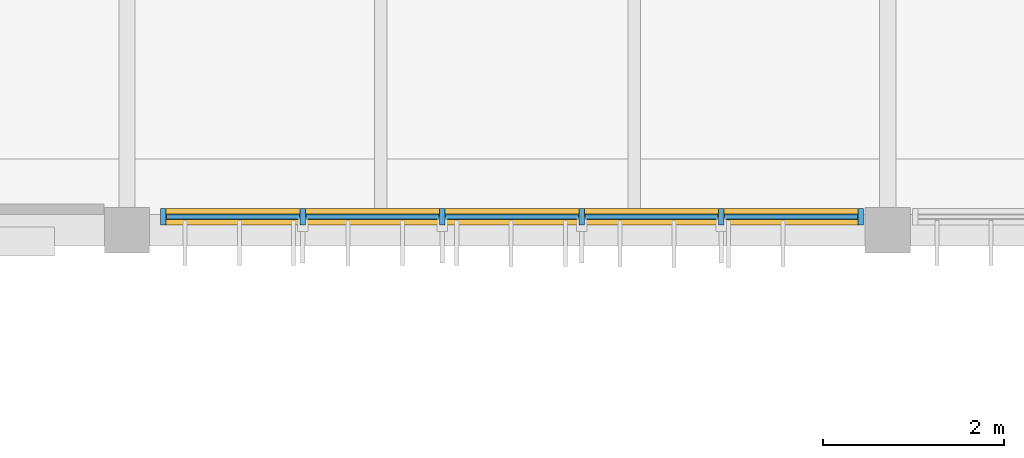
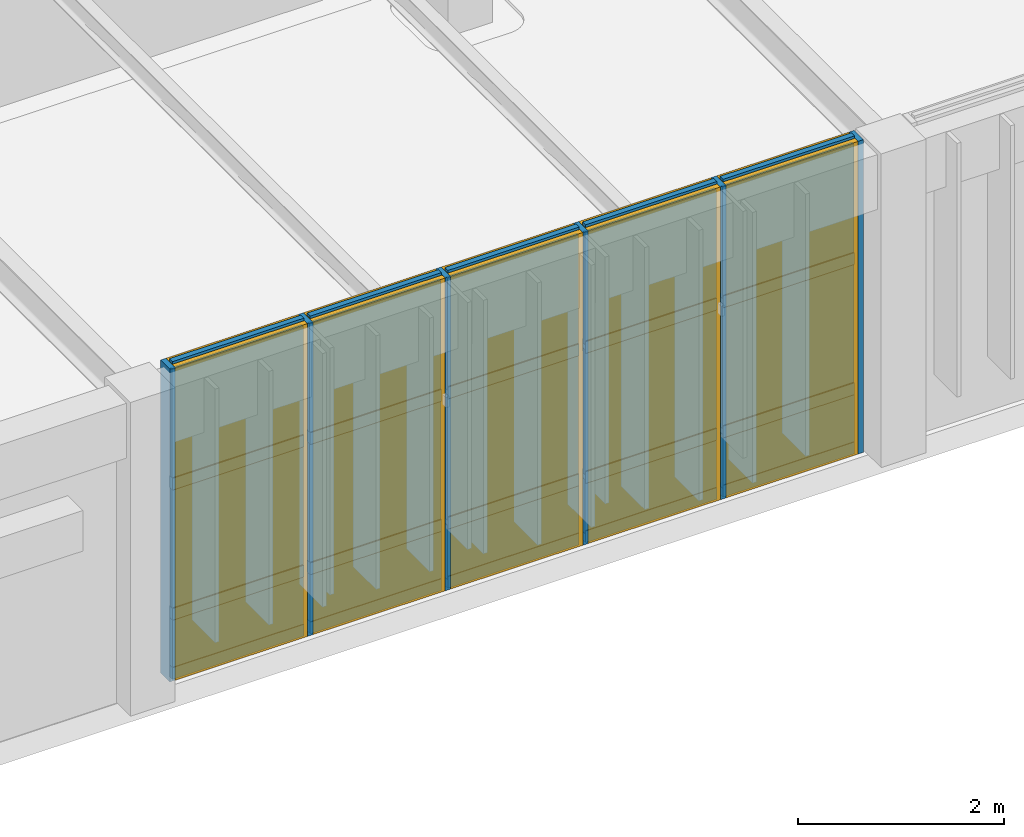
# One storey, part 33 of 44: 26 members, 15 plates, 1 curtain wall.
"""IFC4 building model written with IfcOpenShell, lengths in metres."""

from ifc_helpers import new_model, si_unit, direction, frame, frame_2d, origin, origin_2d, place, context, subcontext, project, spatial, rectangle, extrude, material, layer, layer_set, material_profile, profile_set, type_object, element, aggregate, save


model = new_model("IFC4")

# Units and contexts
model_context = context("Model", 3, precision=1e-05, world=origin(), true_north=direction((0.0, 1.0)))
body_context = subcontext(model_context, "Body", "Model", "MODEL_VIEW")
ifc_project = project(units=[si_unit("LENGTHUNIT", "METRE"), si_unit("AREAUNIT", "SQUARE_METRE"), si_unit("VOLUMEUNIT", "CUBIC_METRE"), si_unit("PLANEANGLEUNIT", "RADIAN"), si_unit("MASSUNIT", "GRAM", prefix="KILO")], contexts=[model_context])

# Member
ifc_material_1 = material(Name="Anodised Bronze Aluminium 6063-T6", Category="aluminium")
ifc_material_profile_1 = material_profile(ifc_material_1, rectangle(XDim=0.06005859375, YDim=0.179931640625, at=origin_2d()), Name="ALU MULLION 60x180")
ifc_profile_set_1 = profile_set([ifc_material_profile_1], Name="Anodised Bronze Aluminium 6063-T6")
member_type_1 = type_object("IfcMemberType", Name="Curtain-Wall Primary Mullion 60x180", PredefinedType="MULLION", material=ifc_profile_set_1)
site_placement = place(None, origin())
building_placement = place(site_placement, origin())
storey_placement = place(building_placement, frame((0.0, 0.0, 13.199951171875)))
member_1_placement = place(storey_placement, frame((125.800048828125, 87.949951171875, 0.0), z_axis=(0.0, 0.0, 1.0), x_axis=(1.0, 0.0, 0.0)))
member_1 = element("IfcMember", 1, at=member_1_placement, type_object=member_type_1, Name="Mullion CWM-01 CW-V3-S2-L03-B1-M01", PredefinedType="MULLION", context=body_context, shape_type="SweptSolid", body=[
    extrude(rectangle(XDim=0.06005859375, YDim=0.179931640625, at=origin_2d()), origin(), (0.0, 0.0, 1.0), 3.699951171875),
])

member_2_placement = place(storey_placement, frame((127.340087890625, 87.949951171875, 0.0), z_axis=(0.0, 0.0, 1.0), x_axis=(1.0, 0.0, 0.0)))
member_2 = element("IfcMember", 2, at=member_2_placement, type_object=member_type_1, Name="Mullion CWM-01 CW-V3-S2-L03-B1-M02", PredefinedType="MULLION", context=body_context, shape_type="SweptSolid", body=[
    extrude(rectangle(XDim=0.06005859375, YDim=0.179931640625, at=origin_2d()), origin(), (0.0, 0.0, 1.0), 3.699951171875),
])

member_3_placement = place(storey_placement, frame((128.8798828125, 87.949951171875, 0.0), z_axis=(0.0, 0.0, 1.0), x_axis=(1.0, 0.0, 0.0)))
member_3 = element("IfcMember", 3, at=member_3_placement, type_object=member_type_1, Name="Mullion CWM-01 CW-V3-S2-L03-B1-M03", PredefinedType="MULLION", context=body_context, shape_type="SweptSolid", body=[
    extrude(rectangle(XDim=0.06005859375, YDim=0.179931640625, at=origin_2d()), origin(), (0.0, 0.0, 1.0), 3.699951171875),
])

member_4_placement = place(storey_placement, frame((130.419921875, 87.949951171875, 0.0), z_axis=(0.0, 0.0, 1.0), x_axis=(1.0, 0.0, 0.0)))
member_4 = element("IfcMember", 4, at=member_4_placement, type_object=member_type_1, Name="Mullion CWM-01 CW-V3-S2-L03-B1-M04", PredefinedType="MULLION", context=body_context, shape_type="SweptSolid", body=[
    extrude(rectangle(XDim=0.06005859375, YDim=0.179931640625, at=origin_2d()), origin(), (0.0, 0.0, 1.0), 3.699951171875),
])

member_5_placement = place(storey_placement, frame((131.9599609375, 87.949951171875, 0.0), z_axis=(0.0, 0.0, 1.0), x_axis=(1.0, 0.0, 0.0)))
member_5 = element("IfcMember", 5, at=member_5_placement, type_object=member_type_1, Name="Mullion CWM-01 CW-V3-S2-L03-B1-M05", PredefinedType="MULLION", context=body_context, shape_type="SweptSolid", body=[
    extrude(rectangle(XDim=0.06005859375, YDim=0.179931640625, at=origin_2d()), origin(), (0.0, 0.0, 1.0), 3.699951171875),
])

member_6_placement = place(storey_placement, frame((133.5, 87.949951171875, 0.0), z_axis=(0.0, 0.0, 1.0), x_axis=(1.0, 0.0, 0.0)))
member_6 = element("IfcMember", 6, at=member_6_placement, type_object=member_type_1, Name="Mullion CWM-01 CW-V3-S2-L03-B1-M06", PredefinedType="MULLION", context=body_context, shape_type="SweptSolid", body=[
    extrude(rectangle(XDim=0.06005859375, YDim=0.179931640625, at=origin_2d()), origin(), (0.0, 0.0, 1.0), 3.699951171875),
])

ifc_material_profile_2 = material_profile(ifc_material_1, rectangle(XDim=0.06005859375, YDim=0.139892578125, at=origin_2d()), Name="ALU TRANSOM 60x140")
ifc_profile_set_2 = profile_set([ifc_material_profile_2], Name="Anodised Bronze Aluminium 6063-T6")
member_type_2 = type_object("IfcMemberType", Name="Curtain-Wall Transom 60x140", PredefinedType="USERDEFINED", material=ifc_profile_set_2)
member_7_placement = place(storey_placement, frame((125.8349609375, 87.949951171875, 0.0400390625), z_axis=(1.0, 0.0, 0.0), x_axis=(0.0, 1.0, 0.0)))
member_7 = element("IfcMember", 7, at=member_7_placement, type_object=member_type_2, Name="Transom CWT-01 CW-V3-S2-L03-B1-T01.1", ObjectType="TRANSOM", PredefinedType="USERDEFINED", context=body_context, shape_type="SweptSolid", body=[
    extrude(rectangle(XDim=0.06005859375, YDim=0.139892578125, at=origin_2d()), origin(), (0.0, 0.0, 1.0), 1.469970703125),
])

member_8_placement = place(storey_placement, frame((125.8349609375, 87.949951171875, 0.739990234375), z_axis=(1.0, 0.0, 0.0), x_axis=(0.0, 1.0, 0.0)))
member_8 = element("IfcMember", 8, at=member_8_placement, type_object=member_type_2, Name="Transom CWT-01 CW-V3-S2-L03-B1-T01.2", ObjectType="TRANSOM", PredefinedType="USERDEFINED", context=body_context, shape_type="SweptSolid", body=[
    extrude(rectangle(XDim=0.06005859375, YDim=0.139892578125, at=origin_2d()), origin(), (0.0, 0.0, 1.0), 1.469970703125),
])

member_9_placement = place(storey_placement, frame((125.8349609375, 87.949951171875, 2.279296875), z_axis=(1.0, 0.0, 0.0), x_axis=(0.0, 1.0, 0.0)))
member_9 = element("IfcMember", 9, at=member_9_placement, type_object=member_type_2, Name="Transom CWT-01 CW-V3-S2-L03-B1-T01.3", ObjectType="TRANSOM", PredefinedType="USERDEFINED", context=body_context, shape_type="SweptSolid", body=[
    extrude(rectangle(XDim=0.06005859375, YDim=0.139892578125, at=origin_2d()), origin(), (0.0, 0.0, 1.0), 1.469970703125),
])

member_10_placement = place(storey_placement, frame((125.8349609375, 87.949951171875, 3.66015625), z_axis=(1.0, 0.0, 0.0), x_axis=(0.0, 1.0, 0.0)))
member_10 = element("IfcMember", 10, at=member_10_placement, type_object=member_type_2, Name="Transom CWT-01 CW-V3-S2-L03-B1-T01.4", ObjectType="TRANSOM", PredefinedType="USERDEFINED", context=body_context, shape_type="SweptSolid", body=[
    extrude(rectangle(XDim=0.06005859375, YDim=0.139892578125, at=origin_2d()), origin(), (0.0, 0.0, 1.0), 1.469970703125),
])

member_11_placement = place(storey_placement, frame((127.375, 87.949951171875, 0.0400390625), z_axis=(1.0, 0.0, 0.0), x_axis=(0.0, 1.0, 0.0)))
member_11 = element("IfcMember", 11, at=member_11_placement, type_object=member_type_2, Name="Transom CWT-01 CW-V3-S2-L03-B1-T02.1", ObjectType="TRANSOM", PredefinedType="USERDEFINED", context=body_context, shape_type="SweptSolid", body=[
    extrude(rectangle(XDim=0.06005859375, YDim=0.139892578125, at=origin_2d()), origin(), (0.0, 0.0, 1.0), 1.469970703125),
])

member_12_placement = place(storey_placement, frame((127.375, 87.949951171875, 0.739990234375), z_axis=(1.0, 0.0, 0.0), x_axis=(0.0, 1.0, 0.0)))
member_12 = element("IfcMember", 12, at=member_12_placement, type_object=member_type_2, Name="Transom CWT-01 CW-V3-S2-L03-B1-T02.2", ObjectType="TRANSOM", PredefinedType="USERDEFINED", context=body_context, shape_type="SweptSolid", body=[
    extrude(rectangle(XDim=0.06005859375, YDim=0.139892578125, at=origin_2d()), origin(), (0.0, 0.0, 1.0), 1.469970703125),
])

member_13_placement = place(storey_placement, frame((127.375, 87.949951171875, 2.279296875), z_axis=(1.0, 0.0, 0.0), x_axis=(0.0, 1.0, 0.0)))
member_13 = element("IfcMember", 13, at=member_13_placement, type_object=member_type_2, Name="Transom CWT-01 CW-V3-S2-L03-B1-T02.3", ObjectType="TRANSOM", PredefinedType="USERDEFINED", context=body_context, shape_type="SweptSolid", body=[
    extrude(rectangle(XDim=0.06005859375, YDim=0.139892578125, at=origin_2d()), origin(), (0.0, 0.0, 1.0), 1.469970703125),
])

member_14_placement = place(storey_placement, frame((127.375, 87.949951171875, 3.66015625), z_axis=(1.0, 0.0, 0.0), x_axis=(0.0, 1.0, 0.0)))
member_14 = element("IfcMember", 14, at=member_14_placement, type_object=member_type_2, Name="Transom CWT-01 CW-V3-S2-L03-B1-T02.4", ObjectType="TRANSOM", PredefinedType="USERDEFINED", context=body_context, shape_type="SweptSolid", body=[
    extrude(rectangle(XDim=0.06005859375, YDim=0.139892578125, at=origin_2d()), origin(), (0.0, 0.0, 1.0), 1.469970703125),
])

member_15_placement = place(storey_placement, frame((128.9150390625, 87.949951171875, 0.0400390625), z_axis=(1.0, 0.0, 0.0), x_axis=(0.0, 1.0, 0.0)))
member_15 = element("IfcMember", 15, at=member_15_placement, type_object=member_type_2, Name="Transom CWT-01 CW-V3-S2-L03-B1-T03.1", ObjectType="TRANSOM", PredefinedType="USERDEFINED", context=body_context, shape_type="SweptSolid", body=[
    extrude(rectangle(XDim=0.06005859375, YDim=0.139892578125, at=origin_2d()), origin(), (0.0, 0.0, 1.0), 1.469970703125),
])

member_16_placement = place(storey_placement, frame((128.9150390625, 87.949951171875, 0.739990234375), z_axis=(1.0, 0.0, 0.0), x_axis=(0.0, 1.0, 0.0)))
member_16 = element("IfcMember", 16, at=member_16_placement, type_object=member_type_2, Name="Transom CWT-01 CW-V3-S2-L03-B1-T03.2", ObjectType="TRANSOM", PredefinedType="USERDEFINED", context=body_context, shape_type="SweptSolid", body=[
    extrude(rectangle(XDim=0.06005859375, YDim=0.139892578125, at=origin_2d()), origin(), (0.0, 0.0, 1.0), 1.469970703125),
])

member_17_placement = place(storey_placement, frame((128.9150390625, 87.949951171875, 2.279296875), z_axis=(1.0, 0.0, 0.0), x_axis=(0.0, 1.0, 0.0)))
member_17 = element("IfcMember", 17, at=member_17_placement, type_object=member_type_2, Name="Transom CWT-01 CW-V3-S2-L03-B1-T03.3", ObjectType="TRANSOM", PredefinedType="USERDEFINED", context=body_context, shape_type="SweptSolid", body=[
    extrude(rectangle(XDim=0.06005859375, YDim=0.139892578125, at=origin_2d()), origin(), (0.0, 0.0, 1.0), 1.469970703125),
])

member_18_placement = place(storey_placement, frame((128.9150390625, 87.949951171875, 3.66015625), z_axis=(1.0, 0.0, 0.0), x_axis=(0.0, 1.0, 0.0)))
member_18 = element("IfcMember", 18, at=member_18_placement, type_object=member_type_2, Name="Transom CWT-01 CW-V3-S2-L03-B1-T03.4", ObjectType="TRANSOM", PredefinedType="USERDEFINED", context=body_context, shape_type="SweptSolid", body=[
    extrude(rectangle(XDim=0.06005859375, YDim=0.139892578125, at=origin_2d()), origin(), (0.0, 0.0, 1.0), 1.469970703125),
])

member_19_placement = place(storey_placement, frame((130.455078125, 87.949951171875, 0.0400390625), z_axis=(1.0, 0.0, 0.0), x_axis=(0.0, 1.0, 0.0)))
member_19 = element("IfcMember", 19, at=member_19_placement, type_object=member_type_2, Name="Transom CWT-01 CW-V3-S2-L03-B1-T04.1", ObjectType="TRANSOM", PredefinedType="USERDEFINED", context=body_context, shape_type="SweptSolid", body=[
    extrude(rectangle(XDim=0.06005859375, YDim=0.139892578125, at=origin_2d()), origin(), (0.0, 0.0, 1.0), 1.469970703125),
])

member_20_placement = place(storey_placement, frame((130.455078125, 87.949951171875, 0.739990234375), z_axis=(1.0, 0.0, 0.0), x_axis=(0.0, 1.0, 0.0)))
member_20 = element("IfcMember", 20, at=member_20_placement, type_object=member_type_2, Name="Transom CWT-01 CW-V3-S2-L03-B1-T04.2", ObjectType="TRANSOM", PredefinedType="USERDEFINED", context=body_context, shape_type="SweptSolid", body=[
    extrude(rectangle(XDim=0.06005859375, YDim=0.139892578125, at=origin_2d()), origin(), (0.0, 0.0, 1.0), 1.469970703125),
])

member_21_placement = place(storey_placement, frame((130.455078125, 87.949951171875, 2.279296875), z_axis=(1.0, 0.0, 0.0), x_axis=(0.0, 1.0, 0.0)))
member_21 = element("IfcMember", 21, at=member_21_placement, type_object=member_type_2, Name="Transom CWT-01 CW-V3-S2-L03-B1-T04.3", ObjectType="TRANSOM", PredefinedType="USERDEFINED", context=body_context, shape_type="SweptSolid", body=[
    extrude(rectangle(XDim=0.06005859375, YDim=0.139892578125, at=origin_2d()), origin(), (0.0, 0.0, 1.0), 1.469970703125),
])

member_22_placement = place(storey_placement, frame((130.455078125, 87.949951171875, 3.66015625), z_axis=(1.0, 0.0, 0.0), x_axis=(0.0, 1.0, 0.0)))
member_22 = element("IfcMember", 22, at=member_22_placement, type_object=member_type_2, Name="Transom CWT-01 CW-V3-S2-L03-B1-T04.4", ObjectType="TRANSOM", PredefinedType="USERDEFINED", context=body_context, shape_type="SweptSolid", body=[
    extrude(rectangle(XDim=0.06005859375, YDim=0.139892578125, at=origin_2d()), origin(), (0.0, 0.0, 1.0), 1.469970703125),
])

member_23_placement = place(storey_placement, frame((131.9951171875, 87.949951171875, 0.0400390625), z_axis=(1.0, 0.0, 0.0), x_axis=(0.0, 1.0, 0.0)))
member_23 = element("IfcMember", 23, at=member_23_placement, type_object=member_type_2, Name="Transom CWT-01 CW-V3-S2-L03-B1-T05.1", ObjectType="TRANSOM", PredefinedType="USERDEFINED", context=body_context, shape_type="SweptSolid", body=[
    extrude(rectangle(XDim=0.06005859375, YDim=0.139892578125, at=origin_2d()), origin(), (0.0, 0.0, 1.0), 1.469970703125),
])

member_24_placement = place(storey_placement, frame((131.9951171875, 87.949951171875, 0.739990234375), z_axis=(1.0, 0.0, 0.0), x_axis=(0.0, 1.0, 0.0)))
member_24 = element("IfcMember", 24, at=member_24_placement, type_object=member_type_2, Name="Transom CWT-01 CW-V3-S2-L03-B1-T05.2", ObjectType="TRANSOM", PredefinedType="USERDEFINED", context=body_context, shape_type="SweptSolid", body=[
    extrude(rectangle(XDim=0.06005859375, YDim=0.139892578125, at=origin_2d()), origin(), (0.0, 0.0, 1.0), 1.469970703125),
])

member_25_placement = place(storey_placement, frame((131.9951171875, 87.949951171875, 2.279296875), z_axis=(1.0, 0.0, 0.0), x_axis=(0.0, 1.0, 0.0)))
member_25 = element("IfcMember", 25, at=member_25_placement, type_object=member_type_2, Name="Transom CWT-01 CW-V3-S2-L03-B1-T05.3", ObjectType="TRANSOM", PredefinedType="USERDEFINED", context=body_context, shape_type="SweptSolid", body=[
    extrude(rectangle(XDim=0.06005859375, YDim=0.139892578125, at=origin_2d()), origin(), (0.0, 0.0, 1.0), 1.469970703125),
])

member_26_placement = place(storey_placement, frame((131.9951171875, 87.949951171875, 3.66015625), z_axis=(1.0, 0.0, 0.0), x_axis=(0.0, 1.0, 0.0)))
member_26 = element("IfcMember", 26, at=member_26_placement, type_object=member_type_2, Name="Transom CWT-01 CW-V3-S2-L03-B1-T05.4", ObjectType="TRANSOM", PredefinedType="USERDEFINED", context=body_context, shape_type="SweptSolid", body=[
    extrude(rectangle(XDim=0.06005859375, YDim=0.139892578125, at=origin_2d()), origin(), (0.0, 0.0, 1.0), 1.469970703125),
])

# Plate
ifc_material_2 = material(Name="Insulated Bronze Aluminium Spandrel Panel", Category="aluminium")
ifc_layer_1 = layer(ifc_material_2, 0.050048828125, Name="Insulated Bronze Aluminium Spandrel Panel")
ifc_layer_set_1 = layer_set([ifc_layer_1], Name="Insulated Bronze Aluminium Spandrel Panel")
plate_type_1 = type_object("IfcPlateType", Name="Insulated Anodised Aluminium Spandrel Cassette 50", PredefinedType="CURTAIN_PANEL", material=ifc_layer_set_1)
plate_1_placement = place(storey_placement, frame((126.570068359375, 87.949951171875, 0.0703125), z_axis=(0.0, 0.0, 1.0), x_axis=(1.0, 0.0, 0.0)))
plate_1 = element("IfcPlate", 27, at=plate_1_placement, type_object=plate_type_1, Name="Curtain Panel CWP-03 CW-V3-S2-L03-B1-P01.1", PredefinedType="CURTAIN_PANEL", context=body_context, shape_type="SweptSolid", body=[
    extrude(rectangle(XDim=1.469970703125, YDim=0.050048828125, at=origin_2d()), origin(), (0.0, 0.0, 1.0), 0.639892578125),
])

plate_2_placement = place(storey_placement, frame((128.110107421875, 87.949951171875, 0.0703125), z_axis=(0.0, 0.0, 1.0), x_axis=(1.0, 0.0, 0.0)))
plate_2 = element("IfcPlate", 28, at=plate_2_placement, type_object=plate_type_1, Name="Curtain Panel CWP-03 CW-V3-S2-L03-B1-P02.1", PredefinedType="CURTAIN_PANEL", context=body_context, shape_type="SweptSolid", body=[
    extrude(rectangle(XDim=1.469970703125, YDim=0.050048828125, at=origin_2d()), origin(), (0.0, 0.0, 1.0), 0.639892578125),
])

plate_3_placement = place(storey_placement, frame((129.64990234375, 87.949951171875, 0.0703125), z_axis=(0.0, 0.0, 1.0), x_axis=(1.0, 0.0, 0.0)))
plate_3 = element("IfcPlate", 29, at=plate_3_placement, type_object=plate_type_1, Name="Curtain Panel CWP-03 CW-V3-S2-L03-B1-P03.1", PredefinedType="CURTAIN_PANEL", context=body_context, shape_type="SweptSolid", body=[
    extrude(rectangle(XDim=1.469970703125, YDim=0.050048828125, at=origin_2d()), origin(), (0.0, 0.0, 1.0), 0.639892578125),
])

plate_4_placement = place(storey_placement, frame((131.18994140625, 87.949951171875, 0.0703125), z_axis=(0.0, 0.0, 1.0), x_axis=(1.0, 0.0, 0.0)))
plate_4 = element("IfcPlate", 30, at=plate_4_placement, type_object=plate_type_1, Name="Curtain Panel CWP-03 CW-V3-S2-L03-B1-P04.1", PredefinedType="CURTAIN_PANEL", context=body_context, shape_type="SweptSolid", body=[
    extrude(rectangle(XDim=1.469970703125, YDim=0.050048828125, at=origin_2d()), origin(), (0.0, 0.0, 1.0), 0.639892578125),
])

plate_5_placement = place(storey_placement, frame((132.72998046875, 87.949951171875, 0.0703125), z_axis=(0.0, 0.0, 1.0), x_axis=(1.0, 0.0, 0.0)))
plate_5 = element("IfcPlate", 31, at=plate_5_placement, type_object=plate_type_1, Name="Curtain Panel CWP-03 CW-V3-S2-L03-B1-P05.1", PredefinedType="CURTAIN_PANEL", context=body_context, shape_type="SweptSolid", body=[
    extrude(rectangle(XDim=1.469970703125, YDim=0.050048828125, at=origin_2d()), origin(), (0.0, 0.0, 1.0), 0.639892578125),
])

ifc_material_3 = material(Name="Solar-Control Tempered Double Glazing", Category="glass")
ifc_layer_2 = layer(ifc_material_3, 0.0380859375, Name="Solar-Control Tempered Double Glazing")
ifc_layer_set_2 = layer_set([ifc_layer_2], Name="Solar-Control Tempered Double Glazing")
plate_type_2 = type_object("IfcPlateType", Name="Solar-Control Vision Glazing Unit 38", PredefinedType="CURTAIN_PANEL", material=ifc_layer_set_2)
plate_6_placement = place(storey_placement, frame((126.570068359375, 87.949951171875, 0.77001953125), z_axis=(0.0, 0.0, 1.0), x_axis=(1.0, 0.0, 0.0)))
plate_6 = element("IfcPlate", 32, at=plate_6_placement, type_object=plate_type_2, Name="Curtain Panel CWP-02 CW-V3-S2-L03-B1-P01.2", PredefinedType="CURTAIN_PANEL", context=body_context, shape_type="SweptSolid", body=[
    extrude(rectangle(XDim=1.469970703125, YDim=0.0380859375, at=origin_2d()), origin(), (0.0, 0.0, 1.0), 1.479248046875),
])

plate_7_placement = place(storey_placement, frame((126.570068359375, 87.949951171875, 2.309326171875), z_axis=(0.0, 0.0, 1.0), x_axis=(1.0, 0.0, 0.0)))
plate_7 = element("IfcPlate", 33, at=plate_7_placement, type_object=plate_type_2, Name="Curtain Panel CWP-02 CW-V3-S2-L03-B1-P01.3", PredefinedType="CURTAIN_PANEL", context=body_context, shape_type="SweptSolid", body=[
    extrude(rectangle(XDim=1.469970703125, YDim=0.0380859375, at=origin_2d()), origin(), (0.0, 0.0, 1.0), 1.32080078125),
])

plate_8_placement = place(storey_placement, frame((128.110107421875, 87.949951171875, 0.77001953125), z_axis=(0.0, 0.0, 1.0), x_axis=(1.0, 0.0, 0.0)))
plate_8 = element("IfcPlate", 34, at=plate_8_placement, type_object=plate_type_2, Name="Curtain Panel CWP-02 CW-V3-S2-L03-B1-P02.2", PredefinedType="CURTAIN_PANEL", context=body_context, shape_type="SweptSolid", body=[
    extrude(rectangle(XDim=1.469970703125, YDim=0.0380859375, at=origin_2d()), origin(), (0.0, 0.0, 1.0), 1.479248046875),
])

plate_9_placement = place(storey_placement, frame((128.110107421875, 87.949951171875, 2.309326171875), z_axis=(0.0, 0.0, 1.0), x_axis=(1.0, 0.0, 0.0)))
plate_9 = element("IfcPlate", 35, at=plate_9_placement, type_object=plate_type_2, Name="Curtain Panel CWP-02 CW-V3-S2-L03-B1-P02.3", PredefinedType="CURTAIN_PANEL", context=body_context, shape_type="SweptSolid", body=[
    extrude(rectangle(XDim=1.469970703125, YDim=0.0380859375, at=origin_2d()), origin(), (0.0, 0.0, 1.0), 1.32080078125),
])

plate_10_placement = place(storey_placement, frame((129.64990234375, 87.949951171875, 0.77001953125), z_axis=(0.0, 0.0, 1.0), x_axis=(1.0, 0.0, 0.0)))
plate_10 = element("IfcPlate", 36, at=plate_10_placement, type_object=plate_type_2, Name="Curtain Panel CWP-02 CW-V3-S2-L03-B1-P03.2", PredefinedType="CURTAIN_PANEL", context=body_context, shape_type="SweptSolid", body=[
    extrude(rectangle(XDim=1.469970703125, YDim=0.0380859375, at=origin_2d()), origin(), (0.0, 0.0, 1.0), 1.479248046875),
])

plate_11_placement = place(storey_placement, frame((129.64990234375, 87.949951171875, 2.309326171875), z_axis=(0.0, 0.0, 1.0), x_axis=(1.0, 0.0, 0.0)))
plate_11 = element("IfcPlate", 37, at=plate_11_placement, type_object=plate_type_2, Name="Curtain Panel CWP-02 CW-V3-S2-L03-B1-P03.3", PredefinedType="CURTAIN_PANEL", context=body_context, shape_type="SweptSolid", body=[
    extrude(rectangle(XDim=1.469970703125, YDim=0.0380859375, at=origin_2d()), origin(), (0.0, 0.0, 1.0), 1.32080078125),
])

plate_12_placement = place(storey_placement, frame((131.18994140625, 87.949951171875, 0.77001953125), z_axis=(0.0, 0.0, 1.0), x_axis=(1.0, 0.0, 0.0)))
plate_12 = element("IfcPlate", 38, at=plate_12_placement, type_object=plate_type_2, Name="Curtain Panel CWP-02 CW-V3-S2-L03-B1-P04.2", PredefinedType="CURTAIN_PANEL", context=body_context, shape_type="SweptSolid", body=[
    extrude(rectangle(XDim=1.469970703125, YDim=0.0380859375, at=origin_2d()), origin(), (0.0, 0.0, 1.0), 1.479248046875),
])

plate_13_placement = place(storey_placement, frame((131.18994140625, 87.949951171875, 2.309326171875), z_axis=(0.0, 0.0, 1.0), x_axis=(1.0, 0.0, 0.0)))
plate_13 = element("IfcPlate", 39, at=plate_13_placement, type_object=plate_type_2, Name="Curtain Panel CWP-02 CW-V3-S2-L03-B1-P04.3", PredefinedType="CURTAIN_PANEL", context=body_context, shape_type="SweptSolid", body=[
    extrude(rectangle(XDim=1.469970703125, YDim=0.0380859375, at=origin_2d()), origin(), (0.0, 0.0, 1.0), 1.32080078125),
])

plate_14_placement = place(storey_placement, frame((132.72998046875, 87.949951171875, 0.77001953125), z_axis=(0.0, 0.0, 1.0), x_axis=(1.0, 0.0, 0.0)))
plate_14 = element("IfcPlate", 40, at=plate_14_placement, type_object=plate_type_2, Name="Curtain Panel CWP-02 CW-V3-S2-L03-B1-P05.2", PredefinedType="CURTAIN_PANEL", context=body_context, shape_type="SweptSolid", body=[
    extrude(rectangle(XDim=1.469970703125, YDim=0.0380859375, at=origin_2d()), origin(), (0.0, 0.0, 1.0), 1.479248046875),
])

plate_15_placement = place(storey_placement, frame((132.72998046875, 87.949951171875, 2.309326171875), z_axis=(0.0, 0.0, 1.0), x_axis=(1.0, 0.0, 0.0)))
plate_15 = element("IfcPlate", 41, at=plate_15_placement, type_object=plate_type_2, Name="Curtain Panel CWP-02 CW-V3-S2-L03-B1-P05.3", PredefinedType="CURTAIN_PANEL", context=body_context, shape_type="SweptSolid", body=[
    extrude(rectangle(XDim=1.469970703125, YDim=0.0380859375, at=origin_2d()), origin(), (0.0, 0.0, 1.0), 1.32080078125),
])

# Site, building, storey
site = spatial("IfcSite", under=ifc_project, at=site_placement, CompositionType="ELEMENT")
building = spatial("IfcBuilding", under=site, at=building_placement, Name="Tazoul Stagehouse", CompositionType="ELEMENT")
storey = spatial("IfcBuildingStorey", under=building, at=storey_placement, Name="L03", CompositionType="ELEMENT", Elevation=13.199951171875)

# Curtain wall
curtain_wall_type = type_object("IfcCurtainWallType", Name="Rehearsal North Daylight Curtain Wall", PredefinedType="NOTDEFINED", material=ifc_material_1)
curtain_wall_placement = place(storey_placement, frame((125.800048828125, 87.949951171875, 0.0), z_axis=(0.0, 0.0, 1.0), x_axis=(1.0, 0.0, 0.0)))
curtain_wall = element("IfcCurtainWall", 42, at=curtain_wall_placement, inside=storey, type_object=curtain_wall_type, Name="L03 Curtain Wall CW-04 (CW-V3-S2-L03-B1)", PredefinedType="NOTDEFINED", context=body_context, shape_type="SweptSolid", body=[
    extrude(rectangle(XDim=7.699951171875, YDim=0.179931640625, at=frame_2d((3.85009765625, 0.0))), origin(), (0.0, 0.0, 1.0), 3.699951171875),
])

aggregate(curtain_wall, [member_1, member_2, member_3, member_4, member_5, member_6, member_7, member_8, member_9, member_10, plate_1, plate_6, plate_7, member_11, member_12, member_13, member_14, plate_2, plate_8, plate_9, member_15, member_16, member_17, member_18, plate_3, plate_10, plate_11, member_19, member_20, member_21, member_22, plate_4, plate_12, plate_13, member_23, member_24, member_25, member_26, plate_5, plate_14, plate_15])

save(model, "model.ifc")
